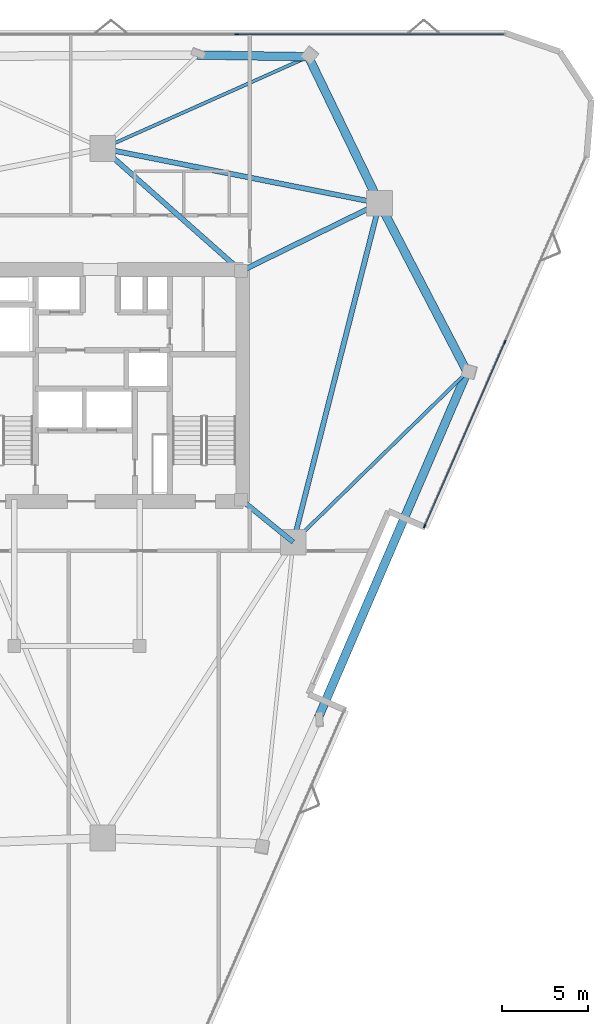
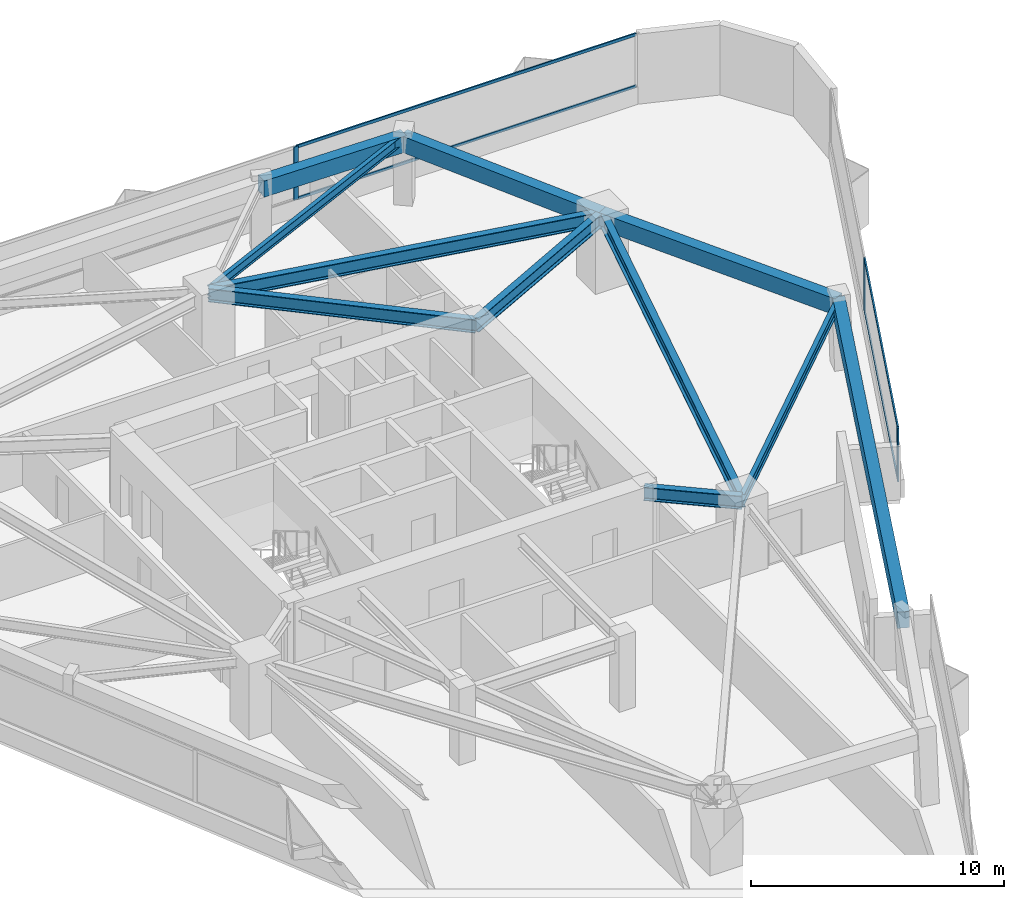
# One storey, part 6 of 12: 11 beams, 7 members, 2 elements without a shape of their own.
"""IFC4 building model written with IfcOpenShell, lengths in metres."""

from ifc_helpers import new_model, si_unit, direction, frame, origin, origin_2d, place, context, subcontext, project, spatial, rectangle, i_section, extrude, material, layer, layer_set, material_profile, profile_set, type_object, element, aggregate, save


model = new_model("IFC4")

# Units and contexts
model_context = context("Model", 3, precision=1e-05, world=origin(), true_north=direction((0.0, 1.0)))
body_context = subcontext(model_context, "Body", "Model", "MODEL_VIEW")
ifc_project = project(units=[si_unit("LENGTHUNIT", "METRE"), si_unit("AREAUNIT", "SQUARE_METRE"), si_unit("VOLUMEUNIT", "CUBIC_METRE"), si_unit("PLANEANGLEUNIT", "RADIAN"), si_unit("MASSUNIT", "GRAM", prefix="KILO")], contexts=[model_context])

# Site, building, storey
site_placement = place(None, origin())
site = spatial("IfcSite", under=ifc_project, at=site_placement, CompositionType="ELEMENT")
building_placement = place(site_placement, origin())
building = spatial("IfcBuilding", under=site, at=building_placement, Name="Talyreon Biosciences Tower", CompositionType="ELEMENT")
storey_placement = place(building_placement, frame((0.0, 0.0, 152.75)))
storey = spatial("IfcBuildingStorey", under=building, at=storey_placement, Name="L40", CompositionType="ELEMENT", Elevation=152.75)

# Curtain wall, member
ifc_material_1 = material(Name="Thermally broken aluminium and low-E glazing", Category="aluminium")
ifc_layer = layer(ifc_material_1, 0.205078125)
ifc_layer_set = layer_set([ifc_layer], Name="Thermally broken aluminium and low-E glazing")
curtain_wall_type = type_object("IfcCurtainWallType", Name="CurtainWall_SkyGardenLoggia", PredefinedType="NOTDEFINED", material=ifc_layer_set)
curtain_wall_1_placement = place(storey_placement, origin())
curtain_wall_1 = element("IfcCurtainWall", 1, at=curtain_wall_1_placement, inside=storey, type_object=curtain_wall_type, Name="L40 Unitised Curtain Wall FCW-L40-03", PredefinedType="NOTDEFINED")
ifc_material_2 = material(Name="Anodised thermally broken aluminium", Category="aluminium")
ifc_material_profile_1 = material_profile(ifc_material_2, rectangle(XDim=0.074951171875, YDim=0.2099609375, at=origin_2d()), Name="ALUM MULLION 75x210")
ifc_profile_set_1 = profile_set([ifc_material_profile_1], Name="Anodised thermally broken aluminium")
member_type_1 = type_object("IfcMemberType", Name="CWMullion_75x210", PredefinedType="MULLION", material=ifc_profile_set_1)
member_1_placement = place(storey_placement, frame((73.79736328125, 88.439453125, 0.81005859375), z_axis=(0.0, 0.0, 1.0), x_axis=(0.0, 1.0, 0.0)))
member_1 = element("IfcMember", 2, at=member_1_placement, type_object=member_type_1, Name="CW7 mullion 3", PredefinedType="MULLION", context=body_context, shape_type="SweptSolid", body=[
    extrude(rectangle(XDim=0.074951171875, YDim=0.2099609375, at=origin_2d()), origin(), (0.0, 0.0, 1.0), 2.56494140625),
])

# Curtain wall, members
curtain_wall_2_placement = place(storey_placement, origin())
curtain_wall_2 = element("IfcCurtainWall", 3, at=curtain_wall_2_placement, inside=storey, type_object=curtain_wall_type, Name="L40 Unitised Curtain Wall FCW-L40-07", PredefinedType="NOTDEFINED")
member_2_placement = place(storey_placement, frame((89.396728515625, 70.51953125, 0.81005859375), z_axis=(0.0, 0.0, 1.0), x_axis=(0.916646919811, -0.399697916434, 0.0)))
member_2 = element("IfcMember", 4, at=member_2_placement, type_object=member_type_1, Name="CW7 mullion 2", PredefinedType="MULLION", context=body_context, shape_type="SweptSolid", body=[
    extrude(rectangle(XDim=0.074951171875, YDim=0.2099609375, at=origin_2d()), origin(), (0.0, 0.0, 1.0), 2.56494140625),
])
member_3_placement = place(storey_placement, frame((84.72265625, 59.800537109375, 0.81005859375), z_axis=(0.0, 0.0, 1.0), x_axis=(0.916646919811, -0.399697916434, 0.0)))
member_3 = element("IfcMember", 5, at=member_3_placement, type_object=member_type_1, Name="CW7 mullion 3", PredefinedType="MULLION", context=body_context, shape_type="SweptSolid", body=[
    extrude(rectangle(XDim=0.074951171875, YDim=0.2099609375, at=origin_2d()), origin(), (0.0, 0.0, 1.0), 2.56494140625),
])

# Member
ifc_material_profile_2 = material_profile(ifc_material_2, rectangle(XDim=0.06494140625, YDim=0.139892578125, at=origin_2d()), Name="ALUM TRANSOM 65x140")
ifc_profile_set_2 = profile_set([ifc_material_profile_2], Name="Anodised thermally broken aluminium")
member_type_2 = type_object("IfcMemberType", Name="CWTransom_65x140", PredefinedType="USERDEFINED", material=ifc_profile_set_2)
member_4_placement = place(storey_placement, frame((73.8349609375, 88.439453125, 0.842529296875), z_axis=(1.0, 0.0, 0.0), x_axis=(0.0, 1.0, 0.0)))
member_4 = element("IfcMember", 6, at=member_4_placement, type_object=member_type_2, Name="CW7 transom 3.1", ObjectType="TRANSOM", PredefinedType="USERDEFINED", context=body_context, shape_type="SweptSolid", body=[
    extrude(rectangle(XDim=0.06494140625, YDim=0.139892578125, at=origin_2d()), origin(), (0.0, 0.0, 1.0), 15.482421875),
])

member_5_placement = place(storey_placement, frame((73.8349609375, 88.439453125, 3.342529296875), z_axis=(1.0, 0.0, 0.0), x_axis=(0.0, 1.0, 0.0)))
member_5 = element("IfcMember", 7, at=member_5_placement, type_object=member_type_2, Name="CW7 transom 3.2", ObjectType="TRANSOM", PredefinedType="USERDEFINED", context=body_context, shape_type="SweptSolid", body=[
    extrude(rectangle(XDim=0.06494140625, YDim=0.139892578125, at=origin_2d()), origin(), (0.0, 0.0, 1.0), 15.482421875),
])

aggregate(curtain_wall_1, [member_1, member_4, member_5])

member_6_placement = place(storey_placement, frame((89.381591796875, 70.485107421875, 0.842529296875), z_axis=(-0.399688648793, -0.916650960849, 0.0), x_axis=(0.916650960849, -0.399688648793, 0.0)))
member_6 = element("IfcMember", 8, at=member_6_placement, type_object=member_type_2, Name="CW7 transom 2.1", ObjectType="TRANSOM", PredefinedType="USERDEFINED", context=body_context, shape_type="SweptSolid", body=[
    extrude(rectangle(XDim=0.06494140625, YDim=0.139892578125, at=origin_2d()), origin(), (0.0, 0.0, 1.0), 11.61865234375),
])

member_7_placement = place(storey_placement, frame((89.381591796875, 70.485107421875, 3.342529296875), z_axis=(-0.399688648793, -0.916650960849, 0.0), x_axis=(0.916650960849, -0.399688648793, 0.0)))
member_7 = element("IfcMember", 9, at=member_7_placement, type_object=member_type_2, Name="CW7 transom 2.2", ObjectType="TRANSOM", PredefinedType="USERDEFINED", context=body_context, shape_type="SweptSolid", body=[
    extrude(rectangle(XDim=0.06494140625, YDim=0.139892578125, at=origin_2d()), origin(), (0.0, 0.0, 1.0), 11.61865234375),
])

aggregate(curtain_wall_2, [member_2, member_3, member_6, member_7])

# Beams
ifc_material_3 = material(Name="Precast concrete C45/55", Category="concrete")
ifc_material_profile_3 = material_profile(ifc_material_3, rectangle(XDim=0.5, YDim=0.780029296875, at=origin_2d()), Name="RCB 500x780")
ifc_profile_set_3 = profile_set([ifc_material_profile_3], Name="Precast concrete C45/55")
beam_type_1 = type_object("IfcBeamType", Name="ExpressedSpandrel_500x780", PredefinedType="SPANDREL", material=ifc_profile_set_3)
beam_1_placement = place(storey_placement, frame((78.55029296875, 48.678955078125, 2.985107421875), z_axis=(0.395371310117, 0.918521380882, 0.0), x_axis=(-0.918521380882, 0.395371310117, 0.0)))
element("IfcBeam", 10, at=beam_1_placement, inside=storey, type_object=beam_type_1, Name="L40 Expressed Horizontal Concrete Spandrel 03", PredefinedType="SPANDREL", context=body_context, shape_type="SweptSolid", body=[
    extrude(rectangle(XDim=0.5, YDim=0.780029296875, at=origin_2d()), origin(), (0.0, 0.0, 1.0), 21.888427734375),
])
beam_2_placement = place(storey_placement, frame((87.204345703125, 68.783935546875, 2.985107421875), z_axis=(-0.461239459246, 0.887275696294, 0.0), x_axis=(-0.887275696294, -0.461239459246, 0.0)))
element("IfcBeam", 11, at=beam_2_placement, inside=storey, type_object=beam_type_1, Name="L40 Expressed Horizontal Concrete Spandrel 04", PredefinedType="SPANDREL", context=body_context, shape_type="SweptSolid", body=[
    extrude(rectangle(XDim=0.5, YDim=0.780029296875, at=origin_2d()), origin(), (0.0, 0.0, 1.0), 11.0615234375),
])
beam_3_placement = place(storey_placement, frame((82.102294921875, 78.5986328125, 2.985107421875), z_axis=(-0.436307642681, 0.89979755553, 0.0), x_axis=(-0.89979755553, -0.436307642681, 0.0)))
element("IfcBeam", 12, at=beam_3_placement, inside=storey, type_object=beam_type_1, Name="L40 Expressed Horizontal Concrete Spandrel 05", PredefinedType="SPANDREL", context=body_context, shape_type="SweptSolid", body=[
    extrude(rectangle(XDim=0.5, YDim=0.780029296875, at=origin_2d()), origin(), (0.0, 0.0, 1.0), 9.4755859375),
])
beam_4_placement = place(storey_placement, frame((77.968017578125, 87.124755859375, 2.985107421875), z_axis=(-0.999879390115, 0.015530783071, 0.0), x_axis=(-0.015530783071, -0.999879390115, 0.0)))
element("IfcBeam", 13, at=beam_4_placement, inside=storey, type_object=beam_type_1, Name="L40 Expressed Horizontal Concrete Spandrel 06", PredefinedType="SPANDREL", context=body_context, shape_type="SweptSolid", body=[
    extrude(rectangle(XDim=0.5, YDim=0.780029296875, at=origin_2d()), origin(), (0.0, 0.0, 1.0), 6.445068359375),
])
ifc_material_4 = material(Name="Steel SM355", Category="steel")
ifc_material_profile_4 = material_profile(ifc_material_4, i_section(OverallWidth=0.300048828125, OverallDepth=0.64990234375, WebThickness=0.01611328125, FlangeThickness=0.031005859375, FilletRadius=0.027099609375, at=origin_2d()), Name="HE650B")
ifc_profile_set_4 = profile_set([ifc_material_profile_4], Name="Steel SM355")
beam_type_2 = type_object("IfcBeamType", Name="SteelBeam_HE650B", PredefinedType="BEAM", material=ifc_profile_set_4)
beam_5_placement = place(storey_placement, frame((77.086181640625, 58.88037109375, 3.050048828125), z_axis=(0.246537082299, 0.969133358755, 0.0), x_axis=(-0.969133358755, 0.246537082299, 0.0)))
element("IfcBeam", 14, at=beam_5_placement, inside=storey, type_object=beam_type_2, Name="L40 Mega-Ring Girder 2", PredefinedType="BEAM", context=body_context, shape_type="SweptSolid", body=[
    extrude(i_section(OverallWidth=0.300048828125, OverallDepth=0.64990234375, WebThickness=0.01611328125, FlangeThickness=0.031005859375, FilletRadius=0.027099609375, at=origin_2d()), origin(), (0.0, 0.0, 1.0), 20.34619140625),
])
beam_6_placement = place(storey_placement, frame((82.102294921875, 78.5986328125, 3.050048828125), z_axis=(-0.980933730698, 0.194342522311, 0.0), x_axis=(-0.194342522311, -0.980933730698, 0.0)))
element("IfcBeam", 15, at=beam_6_placement, inside=storey, type_object=beam_type_2, Name="L40 Mega-Ring Girder 3", PredefinedType="BEAM", context=body_context, shape_type="SweptSolid", body=[
    extrude(i_section(OverallWidth=0.300048828125, OverallDepth=0.64990234375, WebThickness=0.01611328125, FlangeThickness=0.031005859375, FilletRadius=0.027099609375, at=origin_2d()), origin(), (0.0, 0.0, 1.0), 16.415283203125),
])
beam_7_placement = place(storey_placement, frame((74.050048828125, 61.35009765625, 3.050048828125), z_axis=(0.775755154013, -0.631034025249, 0.0), x_axis=(0.631034025249, 0.775755154013, 0.0)))
element("IfcBeam", 16, at=beam_7_placement, inside=storey, type_object=beam_type_2, Name="L40 Radial Primary Girder 2", PredefinedType="BEAM", context=body_context, shape_type="SweptSolid", body=[
    extrude(i_section(OverallWidth=0.300048828125, OverallDepth=0.64990234375, WebThickness=0.01611328125, FlangeThickness=0.031005859375, FilletRadius=0.027099609375, at=origin_2d()), origin(), (0.0, 0.0, 1.0), 3.913818359375),
])
beam_8_placement = place(storey_placement, frame((74.050048828125, 74.64990234375, 3.050048828125), z_axis=(0.897852360314, 0.440296648952, 0.0), x_axis=(-0.440296648952, 0.897852360314, 0.0)))
element("IfcBeam", 17, at=beam_8_placement, inside=storey, type_object=beam_type_2, Name="L40 Radial Primary Girder 3", PredefinedType="BEAM", context=body_context, shape_type="SweptSolid", body=[
    extrude(i_section(OverallWidth=0.300048828125, OverallDepth=0.64990234375, WebThickness=0.01611328125, FlangeThickness=0.031005859375, FilletRadius=0.027099609375, at=origin_2d()), origin(), (0.0, 0.0, 1.0), 8.96826171875),
])
beam_9_placement = place(storey_placement, frame((74.050048828125, 74.64990234375, 3.050048828125), z_axis=(-0.748178733955, 0.663497235908, 0.0), x_axis=(-0.663497235908, -0.748178733955, 0.0)))
element("IfcBeam", 18, at=beam_9_placement, inside=storey, type_object=beam_type_2, Name="L40 Radial Primary Girder 4", PredefinedType="BEAM", context=body_context, shape_type="SweptSolid", body=[
    extrude(i_section(OverallWidth=0.300048828125, OverallDepth=0.64990234375, WebThickness=0.01611328125, FlangeThickness=0.031005859375, FilletRadius=0.027099609375, at=origin_2d()), origin(), (0.0, 0.0, 1.0), 10.759521484375),
])
ifc_material_profile_5 = material_profile(ifc_material_4, i_section(OverallWidth=0.18994140625, OverallDepth=0.449951171875, WebThickness=0.009521484375, FlangeThickness=0.0146484375, FilletRadius=0.02099609375, at=origin_2d()), Name="IPE450")
ifc_profile_set_5 = profile_set([ifc_material_profile_5], Name="Steel SM355")
beam_type_3 = type_object("IfcBeamType", Name="SteelJoist_IPE450", PredefinedType="JOIST", material=ifc_profile_set_5)
beam_10_placement = place(storey_placement, frame((66.0, 81.788818359375, 3.14990234375), z_axis=(0.913334568427, 0.407209977918, 0.0), x_axis=(-0.407209977918, 0.913334568427, 0.0)))
element("IfcBeam", 19, at=beam_10_placement, inside=storey, type_object=beam_type_3, Name="L40 Radial Composite Floor Joist PC-N1", PredefinedType="JOIST", context=body_context, shape_type="SweptSolid", body=[
    extrude(i_section(OverallWidth=0.18994140625, OverallDepth=0.449951171875, WebThickness=0.009521484375, FlangeThickness=0.0146484375, FilletRadius=0.02099609375, at=origin_2d()), origin(), (0.0, 0.0, 1.0), 13.103759765625),
])
ifc_material_profile_6 = material_profile(ifc_material_4, i_section(OverallWidth=0.199951171875, OverallDepth=0.5, WebThickness=0.01025390625, FlangeThickness=0.01611328125, FilletRadius=0.02099609375, at=origin_2d()), Name="IPE500")
ifc_profile_set_6 = profile_set([ifc_material_profile_6], Name="Steel SM355")
beam_type_4 = type_object("IfcBeamType", Name="SteelJoist_IPE500", PredefinedType="JOIST", material=ifc_profile_set_6)
beam_11_placement = place(storey_placement, frame((77.086181640625, 58.88037109375, 3.125), z_axis=(0.714644740121, 0.699487594899, 0.0), x_axis=(-0.699487594899, 0.714644740121, 0.0)))
element("IfcBeam", 20, at=beam_11_placement, inside=storey, type_object=beam_type_4, Name="L40 Radial Composite Floor Joist PC-SE2", PredefinedType="JOIST", context=body_context, shape_type="SweptSolid", body=[
    extrude(i_section(OverallWidth=0.199951171875, OverallDepth=0.5, WebThickness=0.01025390625, FlangeThickness=0.01611328125, FilletRadius=0.02099609375, at=origin_2d()), origin(), (0.0, 0.0, 1.0), 14.158203125),
])

save(model, "model.ifc")
